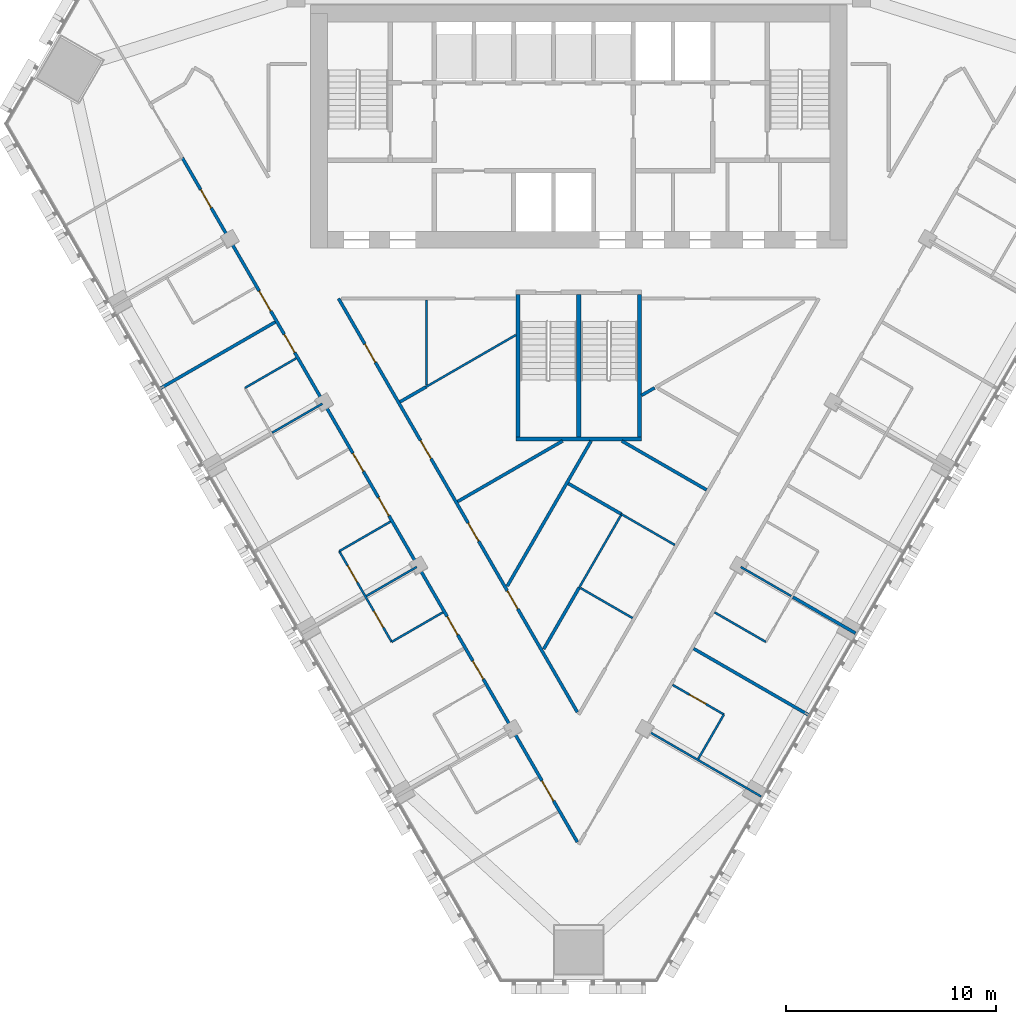
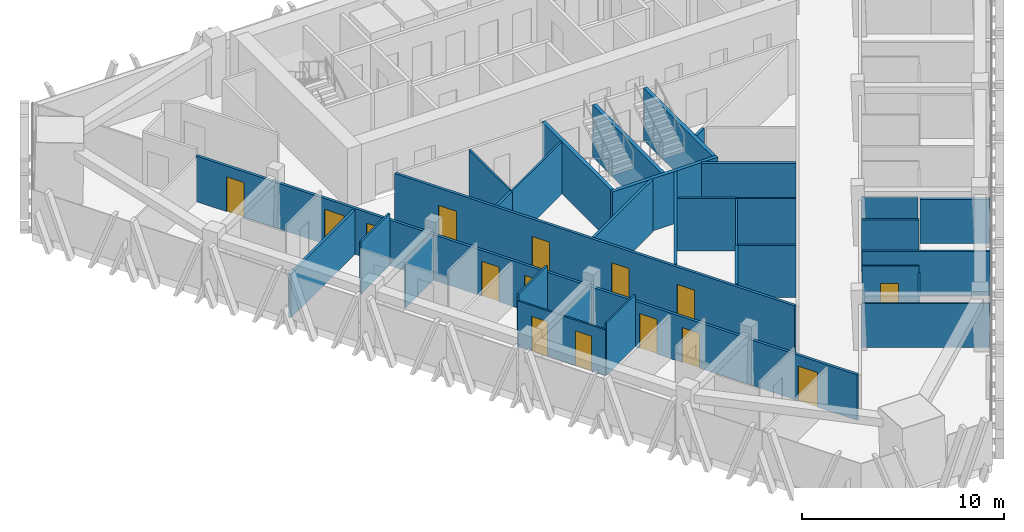
# One storey, part 9 of 16: 32 walls, 15 doors, 15 openings.
"""IFC4 building model written with IfcOpenShell, lengths in metres."""

from ifc_helpers import new_model, si_unit, direction, frame, frame_2d, origin, place, context, subcontext, project, spatial, rectangle, extrude, material, layer, layer_set, type_object, element, fill, save


model = new_model("IFC4")

# Units and contexts
model_context = context("Model", 3, precision=1e-05, world=origin(), true_north=direction((0.0, 1.0)))
body_context = subcontext(model_context, "Body", "Model", "MODEL_VIEW")
ifc_project = project(units=[si_unit("LENGTHUNIT", "METRE"), si_unit("AREAUNIT", "SQUARE_METRE"), si_unit("VOLUMEUNIT", "CUBIC_METRE"), si_unit("PLANEANGLEUNIT", "RADIAN"), si_unit("MASSUNIT", "GRAM", prefix="KILO")], contexts=[model_context])

# Site, building, storey
site_placement = place(None, origin())
site = spatial("IfcSite", under=ifc_project, at=site_placement, CompositionType="ELEMENT")
building_placement = place(site_placement, origin())
building = spatial("IfcBuilding", under=site, at=building_placement, Name="Altiplano Prism Tower", CompositionType="ELEMENT")
storey_placement = place(building_placement, frame((0.0, 0.0, 145.800048828125)))
storey = spatial("IfcBuildingStorey", under=building, at=storey_placement, Name="L37", CompositionType="ELEMENT", Elevation=145.800048828125)

# Wall
ifc_material_1 = material(Name="Plasterboard on steel stud", Category="steel")
ifc_layer_1 = layer(ifc_material_1, 0.10009765625)
ifc_layer_set_1 = layer_set([ifc_layer_1], Name="Plasterboard on steel stud")
wall_type_1 = type_object("IfcWallType", Name="Partition 100 unit", PredefinedType="PARTITIONING", material=ifc_layer_set_1)
wall_1_placement = place(storey_placement, frame((69.07080078125, 85.93408203125, 0.0), z_axis=(0.0, 0.0, 1.0), x_axis=(0.866011447264, 0.500024172624, 0.0)))
element("IfcWall", 1, at=wall_1_placement, inside=storey, type_object=wall_type_1, Name="Partition P02 L37 037", PredefinedType="PARTITIONING", context=body_context, shape_type="SweptSolid", body=[
    extrude(rectangle(XDim=2.824951171875, YDim=0.10009765625, at=frame_2d((1.41259765625, 0.0))), origin(), (0.0, 0.0, 1.0), 3.14990234375),
])

# Wall, openings, doors
wall_2_placement = place(storey_placement, frame((76.07080078125, 73.809814453125, 0.0), z_axis=(0.0, 0.0, 1.0), x_axis=(-0.500004234368, 0.866022959057, 0.0)))
wall_2 = element("IfcWall", 2, at=wall_2_placement, inside=storey, type_object=wall_type_1, Name="Partition P02 L37 042", PredefinedType="PARTITIONING", context=body_context, shape_type="SweptSolid", body=[
    extrude(rectangle(XDim=5.0, YDim=0.10009765625, at=frame_2d((2.5, 0.0))), origin(), (0.0, 0.0, 1.0), 2.75),
])
opening_1_placement = place(wall_2_placement, frame((3.300048828125, 0.0, 0.0)))
opening_1 = element("IfcOpeningElement", 3, at=opening_1_placement, cuts=wall_2, Name="Opening D1345", PredefinedType="OPENING", context=body_context, shape_type="SweptSolid", body=[
    extrude(rectangle(XDim=0.89990234375, YDim=2.10009765625, at=frame_2d((0.449951171875, 1.050048828125))), frame((0.0, 0.060546875, 0.0), z_axis=(0.0, -1.0, 0.0), x_axis=(1.0, 0.0, 0.0)), (0.0, 0.0, 1.0), 0.12109375),
])
opening_2_placement = place(wall_2_placement, frame((0.800048828125, 0.0, 0.0)))
opening_2 = element("IfcOpeningElement", 4, at=opening_2_placement, cuts=wall_2, Name="Opening D1347", PredefinedType="OPENING", context=body_context, shape_type="SweptSolid", body=[
    extrude(rectangle(XDim=0.89990234375, YDim=2.10009765625, at=frame_2d((0.449951171875, 1.050048828125))), frame((0.0, 0.060546875, 0.0), z_axis=(0.0, -1.0, 0.0), x_axis=(1.0, 0.0, 0.0)), (0.0, 0.0, 1.0), 0.12109375),
])
ifc_material_2 = material(Name="Timber", Category="wood")
door_type_1 = type_object("IfcDoorType", Name="Ensuite door 900 x 2100", OperationType="NOTDEFINED", PredefinedType="NOTDEFINED", material=ifc_material_2)
door_1_placement = place(opening_1_placement, origin())
door_1 = element("IfcDoor", 5, at=door_1_placement, inside=storey, type_object=door_type_1, Name="Door D1345", OperationType="SINGLE_SWING_LEFT", OverallHeight=2.10009765625, OverallWidth=0.89990234375, PredefinedType="NOTDEFINED", context=body_context, shape_type="SweptSolid", body=[
    extrude(rectangle(XDim=0.89990234375, YDim=2.10009765625, at=frame_2d((0.449951171875, 1.050048828125))), frame((0.0, 0.02490234375, 0.0), z_axis=(0.0, -1.0, 0.0), x_axis=(1.0, 0.0, 0.0)), (0.0, 0.0, 1.0), 0.050048828125),
])
fill(opening_1, door_1)
door_2_placement = place(opening_2_placement, origin())
door_2 = element("IfcDoor", 6, at=door_2_placement, inside=storey, type_object=door_type_1, Name="Door D1347", OperationType="SINGLE_SWING_LEFT", OverallHeight=2.10009765625, OverallWidth=0.89990234375, PredefinedType="NOTDEFINED", context=body_context, shape_type="SweptSolid", body=[
    extrude(rectangle(XDim=0.89990234375, YDim=2.10009765625, at=frame_2d((0.449951171875, 1.050048828125))), frame((0.0, 0.02490234375, 0.0), z_axis=(0.0, -1.0, 0.0), x_axis=(1.0, 0.0, 0.0)), (0.0, 0.0, 1.0), 0.050048828125),
])
fill(opening_2, door_2)

# Walls
for number, where, z_axis, x_axis, name in (
    (7, (73.57080078125, 78.139892578125, 0.0), (0.0, 0.0, 1.0), (0.866011447264, 0.500024172624, 0.0), "Partition P02 L37 043"),
    (8, (78.517333984375, 75.222412109375, 0.0), (0.0, 0.0, 1.0), (-0.866011447264, -0.500024172624, 0.0), "Partition P02 L37 046"),
):
    element("IfcWall", number, at=place(storey_placement, frame(where, z_axis=z_axis, x_axis=x_axis)), inside=storey, type_object=wall_type_1, Name=name, PredefinedType="PARTITIONING", context=body_context, shape_type="SweptSolid", body=[
        extrude(rectangle(XDim=2.824951171875, YDim=0.10009765625, at=frame_2d((1.41259765625, 0.0))), origin(), (0.0, 0.0, 1.0), 3.14990234375),
    ])

# Wall, opening, door
wall_3_placement = place(storey_placement, frame((89.482666015625, 71.75830078125, 0.0), z_axis=(0.0, 0.0, 1.0), x_axis=(0.866011447264, -0.500024172624, 0.0)))
wall_3 = element("IfcWall", 9, at=wall_3_placement, inside=storey, type_object=wall_type_1, Name="Partition P02 L37 056", PredefinedType="PARTITIONING", context=body_context, shape_type="SweptSolid", body=[
    extrude(rectangle(XDim=2.824951171875, YDim=0.10009765625, at=frame_2d((1.41259765625, 0.0))), origin(), (0.0, 0.0, 1.0), 3.14990234375),
])
opening_3_placement = place(wall_3_placement, frame((0.925048828125, 0.0, 0.0)))
opening_3 = element("IfcOpeningElement", 10, at=opening_3_placement, cuts=wall_3, Name="Opening D1354", PredefinedType="OPENING", context=body_context, shape_type="SweptSolid", body=[
    extrude(rectangle(XDim=0.89990234375, YDim=2.10009765625, at=frame_2d((0.449951171875, 1.050048828125))), frame((0.0, 0.060546875, 0.0), z_axis=(0.0, -1.0, 0.0), x_axis=(1.0, 0.0, 0.0)), (0.0, 0.0, 1.0), 0.12109375),
])
door_3_placement = place(opening_3_placement, origin())
door_3 = element("IfcDoor", 11, at=door_3_placement, inside=storey, type_object=door_type_1, Name="Door D1354", OperationType="SINGLE_SWING_LEFT", OverallHeight=2.10009765625, OverallWidth=0.89990234375, PredefinedType="NOTDEFINED", context=body_context, shape_type="SweptSolid", body=[
    extrude(rectangle(XDim=0.89990234375, YDim=2.10009765625, at=frame_2d((0.449951171875, 1.050048828125))), frame((0.0, 0.02490234375, 0.0), z_axis=(0.0, -1.0, 0.0), x_axis=(1.0, 0.0, 0.0)), (0.0, 0.0, 1.0), 0.050048828125),
])
fill(opening_3, door_3)

# Walls
wall_4_placement = place(storey_placement, frame((91.92919921875, 70.345703125, 0.0), z_axis=(0.0, 0.0, 1.0), x_axis=(-0.500018594424, -0.866014668023, 0.0)))
element("IfcWall", 12, at=wall_4_placement, inside=storey, type_object=wall_type_1, Name="Partition P02 L37 057", PredefinedType="PARTITIONING", context=body_context, shape_type="SweptSolid", body=[
    extrude(rectangle(XDim=2.4501953125, YDim=0.10009765625, at=frame_2d((1.22509765625, 0.0))), origin(), (0.0, 0.0, 1.0), 2.75),
])
wall_5_placement = place(storey_placement, frame((93.92919921875, 73.809814453125, 0.0), z_axis=(0.0, 0.0, 1.0), x_axis=(-0.866011447264, 0.500024172624, 0.0)))
element("IfcWall", 13, at=wall_5_placement, inside=storey, type_object=wall_type_1, Name="Partition P02 L37 059", PredefinedType="PARTITIONING", context=body_context, shape_type="SweptSolid", body=[
    extrude(rectangle(XDim=2.824951171875, YDim=0.10009765625, at=frame_2d((1.41259765625, 0.0))), origin(), (0.0, 0.0, 1.0), 3.14990234375),
])
ifc_layer_2 = layer(ifc_material_1, 0.10009765625)
ifc_layer_set_2 = layer_set([ifc_layer_2], Name="Plasterboard on steel stud")
wall_type_2 = type_object("IfcWallType", Name="Partition 100 wet", PredefinedType="PARTITIONING", material=ifc_layer_set_2)
wall_6_placement = place(storey_placement, frame((85.09423828125, 76.376708984375, 0.0), z_axis=(0.0, 0.0, 1.0), x_axis=(0.866012137121, -0.500022977831, 0.0)))
element("IfcWall", 14, at=wall_6_placement, inside=storey, type_object=wall_type_2, Name="Partition P03 L37 019", PredefinedType="PARTITIONING", context=body_context, shape_type="SweptSolid", body=[
    extrude(rectangle(XDim=2.859619140625, YDim=0.10009765625, at=frame_2d((1.4296875, 0.0))), origin(), (0.0, 0.0, 1.0), 3.14990234375),
])
wall_7_placement = place(storey_placement, frame((89.5859375, 78.43701171875, 0.0), z_axis=(0.0, 0.0, 1.0), x_axis=(-0.866053505849, 0.499951322638, 0.0)))
element("IfcWall", 15, at=wall_7_placement, inside=storey, type_object=wall_type_2, Name="Partition P03 L37 020", PredefinedType="PARTITIONING", context=body_context, shape_type="SweptSolid", body=[
    extrude(rectangle(XDim=2.954833984375, YDim=0.10009765625, at=frame_2d((1.4775390625, 0.0))), origin(), (0.0, 0.0, 1.0), 3.14990234375),
])
wall_8_placement = place(storey_placement, frame((87.044189453125, 79.904296875, 0.0), z_axis=(0.0, 0.0, 1.0), x_axis=(-0.499990325971, -0.866030989016, 0.0)))
element("IfcWall", 16, at=wall_8_placement, inside=storey, type_object=wall_type_2, Name="Partition P03 L37 021", PredefinedType="PARTITIONING", context=body_context, shape_type="SweptSolid", body=[
    extrude(rectangle(XDim=4.0498046875, YDim=0.10009765625, at=frame_2d((2.02490234375, 0.0))), origin(), (0.0, 0.0, 1.0), 3.14990234375),
])
wall_9_placement = place(storey_placement, frame((77.727294921875, 90.125, 0.0), z_axis=(0.0, 0.0, 1.0), x_axis=(0.0, -1.0, 0.0)))
element("IfcWall", 17, at=wall_9_placement, inside=storey, type_object=wall_type_2, Name="Partition P03 L37 022", PredefinedType="PARTITIONING", context=body_context, shape_type="SweptSolid", body=[
    extrude(rectangle(XDim=4.045654296875, YDim=0.10009765625, at=frame_2d((2.02294921875, 0.0))), origin(), (0.0, 0.0, 1.0), 3.14990234375),
])
wall_10_placement = place(storey_placement, frame((77.7099609375, 85.982666015625, 0.0), z_axis=(0.0, 0.0, 1.0), x_axis=(0.866029649098, 0.49999264683, 0.0)))
element("IfcWall", 18, at=wall_10_placement, inside=storey, type_object=wall_type_2, Name="Partition P03 L37 023", PredefinedType="PARTITIONING", context=body_context, shape_type="SweptSolid", body=[
    extrude(rectangle(XDim=4.95361328125, YDim=0.10009765625, at=frame_2d((2.476806640625, 0.0))), origin(), (0.0, 0.0, 1.0), 3.14990234375),
])
for number, where, z_axis, x_axis, name in (
    (19, (70.364013671875, 83.794189453125, 0.0), (0.0, 0.0, 1.0), (0.866042014628, 0.499971228071, 0.0), "Partition P03 L37 039"),
    (20, (74.864013671875, 76.0, 0.0), (0.0, 0.0, 1.0), (0.866042014628, 0.499971228071, 0.0), "Partition P03 L37 045"),
):
    element("IfcWall", number, at=place(storey_placement, frame(where, z_axis=z_axis, x_axis=x_axis)), inside=storey, type_object=wall_type_2, Name=name, PredefinedType="PARTITIONING", context=body_context, shape_type="SweptSolid", body=[
        extrude(rectangle(XDim=2.775146484375, YDim=0.10009765625, at=frame_2d((1.3876953125, 0.0))), origin(), (0.0, 0.0, 1.0), 2.75),
    ])
wall_11_placement = place(storey_placement, frame((93.710205078125, 66.4306640625, 0.0), z_axis=(0.0, 0.0, 1.0), x_axis=(-0.866015887322, 0.500016482634, 0.0)))
element("IfcWall", 21, at=wall_11_placement, inside=storey, type_object=wall_type_2, Name="Partition P03 L37 055", PredefinedType="PARTITIONING", context=body_context, shape_type="SweptSolid", body=[
    extrude(rectangle(XDim=6.324951171875, YDim=0.10009765625, at=frame_2d((3.16259765625, 0.0))), origin(), (0.0, 0.0, 1.0), 2.64990234375),
])
wall_12_placement = place(storey_placement, frame((95.135986328125, 76.0, 0.0), z_axis=(0.0, 0.0, 1.0), x_axis=(-0.866042014628, 0.499971228071, 0.0)))
element("IfcWall", 22, at=wall_12_placement, inside=storey, type_object=wall_type_2, Name="Partition P03 L37 061", PredefinedType="PARTITIONING", context=body_context, shape_type="SweptSolid", body=[
    extrude(rectangle(XDim=2.775146484375, YDim=0.10009765625, at=frame_2d((1.3876953125, 0.0))), origin(), (0.0, 0.0, 1.0), 2.75),
])

# Wall, openings, doors
ifc_layer_3 = layer(ifc_material_1, 0.14990234375)
ifc_layer_set_3 = layer_set([ifc_layer_3], Name="Plasterboard on steel stud")
wall_type_3 = type_object("IfcWallType", Name="Partition 150 corridor", PredefinedType="PARTITIONING", material=ifc_layer_set_3)
wall_13_placement = place(storey_placement, frame((84.93505859375, 70.45654296875, 0.0), z_axis=(0.0, 0.0, 1.0), x_axis=(-0.50000209693, 0.866024193118, 0.0)))
wall_13 = element("IfcWall", 23, at=wall_13_placement, inside=storey, type_object=wall_type_3, Name="Partition P06 L37 003", PredefinedType="PARTITIONING", context=body_context, shape_type="SweptSolid", body=[
    extrude(rectangle(XDim=22.7978515625, YDim=0.14990234375, at=frame_2d((11.39892578125, 0.0))), origin(), (0.0, 0.0, 1.0), 3.14990234375),
])
opening_4_placement = place(wall_13_placement, frame((19.282958984375, 0.0, 0.0)))
opening_4 = element("IfcOpeningElement", 24, at=opening_4_placement, cuts=wall_13, Name="Opening D1332", PredefinedType="OPENING", context=body_context, shape_type="SweptSolid", body=[
    extrude(rectangle(XDim=1.0, YDim=2.10009765625, at=frame_2d((0.5, 1.050048828125))), frame((0.0, 0.08544921875, 0.0), z_axis=(0.0, -1.0, 0.0), x_axis=(1.0, 0.0, 0.0)), (0.0, 0.0, 1.0), 0.1708984375),
])
opening_5_placement = place(wall_13_placement, frame((13.972900390625, 0.0, 0.0)))
opening_5 = element("IfcOpeningElement", 25, at=opening_5_placement, cuts=wall_13, Name="Opening D1369", PredefinedType="OPENING", context=body_context, shape_type="SweptSolid", body=[
    extrude(rectangle(XDim=1.0, YDim=2.10009765625, at=frame_2d((0.5, 1.050048828125))), frame((0.0, 0.08544921875, 0.0), z_axis=(0.0, -1.0, 0.0), x_axis=(1.0, 0.0, 0.0)), (0.0, 0.0, 1.0), 0.1708984375),
])
opening_6_placement = place(wall_13_placement, frame((5.69091796875, 0.0, 0.0)))
opening_6 = element("IfcOpeningElement", 26, at=opening_6_placement, cuts=wall_13, Name="Opening D1370", PredefinedType="OPENING", context=body_context, shape_type="SweptSolid", body=[
    extrude(rectangle(XDim=1.0, YDim=2.10009765625, at=frame_2d((0.5, 1.050048828125))), frame((0.0, 0.08544921875, 0.0), z_axis=(0.0, -1.0, 0.0), x_axis=(1.0, 0.0, 0.0)), (0.0, 0.0, 1.0), 0.1708984375),
])
opening_7_placement = place(wall_13_placement, frame((9.424072265625, 0.0, 0.0)))
opening_7 = element("IfcOpeningElement", 27, at=opening_7_placement, cuts=wall_13, Name="Opening D1371", PredefinedType="OPENING", context=body_context, shape_type="SweptSolid", body=[
    extrude(rectangle(XDim=1.0, YDim=2.10009765625, at=frame_2d((0.5, 1.050048828125))), frame((0.0, 0.08544921875, 0.0), z_axis=(0.0, -1.0, 0.0), x_axis=(1.0, 0.0, 0.0)), (0.0, 0.0, 1.0), 0.1708984375),
])
door_type_2 = type_object("IfcDoorType", Name="Room door 1000 x 2100", OperationType="NOTDEFINED", PredefinedType="NOTDEFINED", material=ifc_material_2)
door_4_placement = place(opening_5_placement, origin())
door_4 = element("IfcDoor", 28, at=door_4_placement, inside=storey, type_object=door_type_2, Name="Door D1369", OperationType="SINGLE_SWING_LEFT", OverallHeight=2.10009765625, OverallWidth=1.0, PredefinedType="NOTDEFINED", context=body_context, shape_type="SweptSolid", body=[
    extrude(rectangle(XDim=1.0, YDim=2.10009765625, at=frame_2d((0.5, 1.050048828125))), frame((0.0, 0.02490234375, 0.0), z_axis=(0.0, -1.0, 0.0), x_axis=(1.0, 0.0, 0.0)), (0.0, 0.0, 1.0), 0.050048828125),
])
fill(opening_5, door_4)
door_type_3 = type_object("IfcDoorType", Name="Store door 1000 x 2100", OperationType="NOTDEFINED", PredefinedType="NOTDEFINED", material=ifc_material_2)
door_5_placement = place(opening_4_placement, origin())
door_5 = element("IfcDoor", 29, at=door_5_placement, inside=storey, type_object=door_type_3, Name="Door D1332", OperationType="SINGLE_SWING_LEFT", OverallHeight=2.10009765625, OverallWidth=1.0, PredefinedType="NOTDEFINED", context=body_context, shape_type="SweptSolid", body=[
    extrude(rectangle(XDim=1.0, YDim=2.10009765625, at=frame_2d((0.5, 1.050048828125))), frame((0.0, 0.02490234375, 0.0), z_axis=(0.0, -1.0, 0.0), x_axis=(1.0, 0.0, 0.0)), (0.0, 0.0, 1.0), 0.050048828125),
])
fill(opening_4, door_5)
door_6_placement = place(opening_6_placement, origin())
door_6 = element("IfcDoor", 30, at=door_6_placement, inside=storey, type_object=door_type_3, Name="Door D1370", OperationType="SINGLE_SWING_LEFT", OverallHeight=2.10009765625, OverallWidth=1.0, PredefinedType="NOTDEFINED", context=body_context, shape_type="SweptSolid", body=[
    extrude(rectangle(XDim=1.0, YDim=2.10009765625, at=frame_2d((0.5, 1.050048828125))), frame((0.0, 0.02490234375, 0.0), z_axis=(0.0, -1.0, 0.0), x_axis=(1.0, 0.0, 0.0)), (0.0, 0.0, 1.0), 0.050048828125),
])
fill(opening_6, door_6)
door_7_placement = place(opening_7_placement, origin())
door_7 = element("IfcDoor", 31, at=door_7_placement, inside=storey, type_object=door_type_3, Name="Door D1371", OperationType="SINGLE_SWING_RIGHT", OverallHeight=2.10009765625, OverallWidth=1.0, PredefinedType="NOTDEFINED", context=body_context, shape_type="SweptSolid", body=[
    extrude(rectangle(XDim=1.0, YDim=2.10009765625, at=frame_2d((0.5, 1.050048828125))), frame((0.0, 0.02490234375, 0.0), z_axis=(0.0, -1.0, 0.0), x_axis=(1.0, 0.0, 0.0)), (0.0, 0.0, 1.0), 0.050048828125),
])
fill(opening_7, door_7)

wall_14_placement = place(storey_placement, frame((66.082275390625, 96.910400390625, 0.0), z_axis=(0.0, 0.0, 1.0), x_axis=(0.500001949747, -0.866024278094, 0.0)))
wall_14 = element("IfcWall", 32, at=wall_14_placement, inside=storey, type_object=wall_type_3, Name="Partition P06 L37 005", PredefinedType="PARTITIONING", context=body_context, shape_type="SweptSolid", body=[
    extrude(rectangle(XDim=37.705322265625, YDim=0.14990234375, at=frame_2d((18.8525390625, 0.0))), origin(), (0.0, 0.0, 1.0), 2.75),
])
opening_8_placement = place(wall_14_placement, frame((1.75, 0.0, 0.0)))
opening_8 = element("IfcOpeningElement", 33, at=opening_8_placement, cuts=wall_14, Name="Opening D1337", PredefinedType="OPENING", context=body_context, shape_type="SweptSolid", body=[
    extrude(rectangle(XDim=1.0, YDim=2.10009765625, at=frame_2d((0.5, 1.050048828125))), frame((0.0, 0.08544921875, 0.0), z_axis=(0.0, -1.0, 0.0), x_axis=(1.0, 0.0, 0.0)), (0.0, 0.0, 1.0), 0.1708984375),
])
opening_9_placement = place(wall_14_placement, frame((7.3291015625, 0.0, 0.0)))
opening_9 = element("IfcOpeningElement", 34, at=opening_9_placement, cuts=wall_14, Name="Opening D1338", PredefinedType="OPENING", context=body_context, shape_type="SweptSolid", body=[
    extrude(rectangle(XDim=1.10009765625, YDim=2.10009765625, at=frame_2d((0.550048828125, 1.050048828125))), frame((0.0, 0.08544921875, 0.0), z_axis=(0.0, -1.0, 0.0), x_axis=(1.0, 0.0, 0.0)), (0.0, 0.0, 1.0), 0.1708984375),
])
opening_10_placement = place(wall_14_placement, frame((9.719970703125, 0.0, 0.0)))
opening_10 = element("IfcOpeningElement", 35, at=opening_10_placement, cuts=wall_14, Name="Opening D1340", PredefinedType="OPENING", context=body_context, shape_type="SweptSolid", body=[
    extrude(rectangle(XDim=1.0, YDim=2.10009765625, at=frame_2d((0.5, 1.050048828125))), frame((0.0, 0.08544921875, 0.0), z_axis=(0.0, -1.0, 0.0), x_axis=(1.0, 0.0, 0.0)), (0.0, 0.0, 1.0), 0.1708984375),
])
opening_11_placement = place(wall_14_placement, frame((16.280029296875, 0.0, 0.0)))
opening_11 = element("IfcOpeningElement", 36, at=opening_11_placement, cuts=wall_14, Name="Opening D1342", PredefinedType="OPENING", context=body_context, shape_type="SweptSolid", body=[
    extrude(rectangle(XDim=1.0, YDim=2.10009765625, at=frame_2d((0.5, 1.050048828125))), frame((0.0, 0.08544921875, 0.0), z_axis=(0.0, -1.0, 0.0), x_axis=(1.0, 0.0, 0.0)), (0.0, 0.0, 1.0), 0.1708984375),
])
opening_12_placement = place(wall_14_placement, frame((18.719970703125, 0.0, 0.0)))
opening_12 = element("IfcOpeningElement", 37, at=opening_12_placement, cuts=wall_14, Name="Opening D1344", PredefinedType="OPENING", context=body_context, shape_type="SweptSolid", body=[
    extrude(rectangle(XDim=1.0, YDim=2.10009765625, at=frame_2d((0.5, 1.050048828125))), frame((0.0, 0.08544921875, 0.0), z_axis=(0.0, -1.0, 0.0), x_axis=(1.0, 0.0, 0.0)), (0.0, 0.0, 1.0), 0.1708984375),
])
opening_13_placement = place(wall_14_placement, frame((25.280029296875, 0.0, 0.0)))
opening_13 = element("IfcOpeningElement", 38, at=opening_13_placement, cuts=wall_14, Name="Opening D1346", PredefinedType="OPENING", context=body_context, shape_type="SweptSolid", body=[
    extrude(rectangle(XDim=1.0, YDim=2.10009765625, at=frame_2d((0.5, 1.050048828125))), frame((0.0, 0.08544921875, 0.0), z_axis=(0.0, -1.0, 0.0), x_axis=(1.0, 0.0, 0.0)), (0.0, 0.0, 1.0), 0.1708984375),
])
opening_14_placement = place(wall_14_placement, frame((27.719970703125, 0.0, 0.0)))
opening_14 = element("IfcOpeningElement", 39, at=opening_14_placement, cuts=wall_14, Name="Opening D1348", PredefinedType="OPENING", context=body_context, shape_type="SweptSolid", body=[
    extrude(rectangle(XDim=1.0, YDim=2.10009765625, at=frame_2d((0.5, 1.050048828125))), frame((0.0, 0.08544921875, 0.0), z_axis=(0.0, -1.0, 0.0), x_axis=(1.0, 0.0, 0.0)), (0.0, 0.0, 1.0), 0.1708984375),
])
opening_15_placement = place(wall_14_placement, frame((34.3291015625, 0.0, 0.0)))
opening_15 = element("IfcOpeningElement", 40, at=opening_15_placement, cuts=wall_14, Name="Opening D1350", PredefinedType="OPENING", context=body_context, shape_type="SweptSolid", body=[
    extrude(rectangle(XDim=1.10009765625, YDim=2.10009765625, at=frame_2d((0.550048828125, 1.050048828125))), frame((0.0, 0.08544921875, 0.0), z_axis=(0.0, -1.0, 0.0), x_axis=(1.0, 0.0, 0.0)), (0.0, 0.0, 1.0), 0.1708984375),
])
door_type_4 = type_object("IfcDoorType", Name="Accessible bedroom door 1100 x 2100", OperationType="NOTDEFINED", PredefinedType="NOTDEFINED", material=ifc_material_2)
door_8_placement = place(opening_9_placement, origin())
door_8 = element("IfcDoor", 41, at=door_8_placement, inside=storey, type_object=door_type_4, Name="Door D1338", OperationType="SINGLE_SWING_LEFT", OverallHeight=2.10009765625, OverallWidth=1.10009765625, PredefinedType="NOTDEFINED", context=body_context, shape_type="SweptSolid", body=[
    extrude(rectangle(XDim=1.10009765625, YDim=2.10009765625, at=frame_2d((0.550048828125, 1.050048828125))), frame((0.0, 0.02490234375, 0.0), z_axis=(0.0, -1.0, 0.0), x_axis=(1.0, 0.0, 0.0)), (0.0, 0.0, 1.0), 0.050048828125),
])
fill(opening_9, door_8)
door_9_placement = place(opening_15_placement, origin())
door_9 = element("IfcDoor", 42, at=door_9_placement, inside=storey, type_object=door_type_4, Name="Door D1350", OperationType="SINGLE_SWING_LEFT", OverallHeight=2.10009765625, OverallWidth=1.10009765625, PredefinedType="NOTDEFINED", context=body_context, shape_type="SweptSolid", body=[
    extrude(rectangle(XDim=1.10009765625, YDim=2.10009765625, at=frame_2d((0.550048828125, 1.050048828125))), frame((0.0, 0.02490234375, 0.0), z_axis=(0.0, -1.0, 0.0), x_axis=(1.0, 0.0, 0.0)), (0.0, 0.0, 1.0), 0.050048828125),
])
fill(opening_15, door_9)
door_type_5 = type_object("IfcDoorType", Name="Bedroom entrance door 1000 x 2100", OperationType="NOTDEFINED", PredefinedType="NOTDEFINED", material=ifc_material_2)
door_10_placement = place(opening_10_placement, origin())
door_10 = element("IfcDoor", 43, at=door_10_placement, inside=storey, type_object=door_type_5, Name="Door D1340", OperationType="SINGLE_SWING_RIGHT", OverallHeight=2.10009765625, OverallWidth=1.0, PredefinedType="NOTDEFINED", context=body_context, shape_type="SweptSolid", body=[
    extrude(rectangle(XDim=1.0, YDim=2.10009765625, at=frame_2d((0.5, 1.050048828125))), frame((0.0, 0.02490234375, 0.0), z_axis=(0.0, -1.0, 0.0), x_axis=(1.0, 0.0, 0.0)), (0.0, 0.0, 1.0), 0.050048828125),
])
fill(opening_10, door_10)
door_11_placement = place(opening_11_placement, origin())
door_11 = element("IfcDoor", 44, at=door_11_placement, inside=storey, type_object=door_type_5, Name="Door D1342", OperationType="SINGLE_SWING_LEFT", OverallHeight=2.10009765625, OverallWidth=1.0, PredefinedType="NOTDEFINED", context=body_context, shape_type="SweptSolid", body=[
    extrude(rectangle(XDim=1.0, YDim=2.10009765625, at=frame_2d((0.5, 1.050048828125))), frame((0.0, 0.02490234375, 0.0), z_axis=(0.0, -1.0, 0.0), x_axis=(1.0, 0.0, 0.0)), (0.0, 0.0, 1.0), 0.050048828125),
])
fill(opening_11, door_11)
door_12_placement = place(opening_12_placement, origin())
door_12 = element("IfcDoor", 45, at=door_12_placement, inside=storey, type_object=door_type_5, Name="Door D1344", OperationType="SINGLE_SWING_LEFT", OverallHeight=2.10009765625, OverallWidth=1.0, PredefinedType="NOTDEFINED", context=body_context, shape_type="SweptSolid", body=[
    extrude(rectangle(XDim=1.0, YDim=2.10009765625, at=frame_2d((0.5, 1.050048828125))), frame((0.0, 0.02490234375, 0.0), z_axis=(0.0, -1.0, 0.0), x_axis=(1.0, 0.0, 0.0)), (0.0, 0.0, 1.0), 0.050048828125),
])
fill(opening_12, door_12)
door_13_placement = place(opening_13_placement, origin())
door_13 = element("IfcDoor", 46, at=door_13_placement, inside=storey, type_object=door_type_5, Name="Door D1346", OperationType="SINGLE_SWING_LEFT", OverallHeight=2.10009765625, OverallWidth=1.0, PredefinedType="NOTDEFINED", context=body_context, shape_type="SweptSolid", body=[
    extrude(rectangle(XDim=1.0, YDim=2.10009765625, at=frame_2d((0.5, 1.050048828125))), frame((0.0, 0.02490234375, 0.0), z_axis=(0.0, -1.0, 0.0), x_axis=(1.0, 0.0, 0.0)), (0.0, 0.0, 1.0), 0.050048828125),
])
fill(opening_13, door_13)
door_14_placement = place(opening_14_placement, origin())
door_14 = element("IfcDoor", 47, at=door_14_placement, inside=storey, type_object=door_type_5, Name="Door D1348", OperationType="SINGLE_SWING_LEFT", OverallHeight=2.10009765625, OverallWidth=1.0, PredefinedType="NOTDEFINED", context=body_context, shape_type="SweptSolid", body=[
    extrude(rectangle(XDim=1.0, YDim=2.10009765625, at=frame_2d((0.5, 1.050048828125))), frame((0.0, 0.02490234375, 0.0), z_axis=(0.0, -1.0, 0.0), x_axis=(1.0, 0.0, 0.0)), (0.0, 0.0, 1.0), 0.050048828125),
])
fill(opening_14, door_14)
door_15_placement = place(opening_8_placement, origin())
door_15 = element("IfcDoor", 48, at=door_15_placement, inside=storey, type_object=door_type_2, Name="Door D1337", OperationType="SINGLE_SWING_LEFT", OverallHeight=2.10009765625, OverallWidth=1.0, PredefinedType="NOTDEFINED", context=body_context, shape_type="SweptSolid", body=[
    extrude(rectangle(XDim=1.0, YDim=2.10009765625, at=frame_2d((0.5, 1.050048828125))), frame((0.0, 0.02490234375, 0.0), z_axis=(0.0, -1.0, 0.0), x_axis=(1.0, 0.0, 0.0)), (0.0, 0.0, 1.0), 0.050048828125),
])
fill(opening_8, door_15)

# Walls
ifc_layer_4 = layer(ifc_material_1, 0.14990234375)
ifc_layer_set_4 = layer_set([ifc_layer_4], Name="Plasterboard on steel stud")
wall_type_4 = type_object("IfcWallType", Name="Partition 150 party", PredefinedType="PARTITIONING", material=ifc_layer_set_4)
wall_15_placement = place(storey_placement, frame((76.470703125, 85.267333984375, 0.0), z_axis=(0.0, 0.0, 1.0), x_axis=(0.866071942605, 0.499919383734, 0.0)))
element("IfcWall", 49, at=wall_15_placement, inside=storey, type_object=wall_type_4, Name="Partition P01 L37 024", PredefinedType="PARTITIONING", context=body_context, shape_type="SweptSolid", body=[
    extrude(rectangle(XDim=1.430908203125, YDim=0.14990234375, at=frame_2d((0.71533203125, 0.0))), origin(), (0.0, 0.0, 1.0), 3.14990234375),
])
wall_16_placement = place(storey_placement, frame((85.019287109375, 76.39697265625, 0.0), z_axis=(0.0, 0.0, 1.0), x_axis=(-0.500026370116, -0.866010178455, 0.0)))
element("IfcWall", 50, at=wall_16_placement, inside=storey, type_object=wall_type_4, Name="Partition P01 L37 025", PredefinedType="PARTITIONING", context=body_context, shape_type="SweptSolid", body=[
    extrude(rectangle(XDim=3.384033203125, YDim=0.14990234375, at=frame_2d((1.69189453125, 0.0))), origin(), (0.0, 0.0, 1.0), 3.14990234375),
])
wall_17_placement = place(storey_placement, frame((87.0595703125, 83.39990234375, 0.0), z_axis=(0.0, 0.0, 1.0), x_axis=(0.866040176992, -0.499974411181, 0.0)))
element("IfcWall", 51, at=wall_17_placement, inside=storey, type_object=wall_type_4, Name="Partition P01 L37 026", PredefinedType="PARTITIONING", context=body_context, shape_type="SweptSolid", body=[
    extrude(rectangle(XDim=4.669189453125, YDim=0.14990234375, at=frame_2d((2.33447265625, 0.0))), origin(), (0.0, 0.0, 1.0), 3.14990234375),
])
wall_18_placement = place(storey_placement, frame((88.621826171875, 85.9375, 0.0), z_axis=(0.0, 0.0, 1.0), x_axis=(-0.866100656052, -0.499869636591, 0.0)))
element("IfcWall", 52, at=wall_18_placement, inside=storey, type_object=wall_type_4, Name="Partition P01 L37 027", PredefinedType="PARTITIONING", context=body_context, shape_type="SweptSolid", body=[
    extrude(rectangle(XDim=0.718017578125, YDim=0.14990234375, at=frame_2d((0.35888671875, 0.0))), origin(), (0.0, 0.0, 1.0), 3.14990234375),
])
wall_19_placement = place(storey_placement, frame((84.50341796875, 81.37109375, 0.0), z_axis=(0.0, 0.0, 1.0), x_axis=(0.866042852854, -0.499969776107, 0.0)))
element("IfcWall", 53, at=wall_19_placement, inside=storey, type_object=wall_type_4, Name="Partition P01 L37 029", PredefinedType="PARTITIONING", context=body_context, shape_type="SweptSolid", body=[
    extrude(rectangle(XDim=2.933837890625, YDim=0.14990234375, at=frame_2d((1.466796875, 0.0))), origin(), (0.0, 0.0, 1.0), 3.14990234375),
])
for number, where, z_axis, x_axis, name in (
    (54, (65.022216796875, 85.90625, 0.0), (0.0, 0.0, 1.0), (0.866025401434, 0.500000004071, 0.0), "Partition P01 L37 035"),
    (55, (95.977783203125, 70.317626953125, 0.0), (0.0, 0.0, 1.0), (-0.866025401434, 0.500000004071, 0.0), "Partition P01 L37 058"),
):
    element("IfcWall", number, at=place(storey_placement, frame(where, z_axis=z_axis, x_axis=x_axis)), inside=storey, type_object=wall_type_4, Name=name, PredefinedType="PARTITIONING", context=body_context, shape_type="SweptSolid", body=[
        extrude(rectangle(XDim=6.34521484375, YDim=0.14990234375, at=frame_2d((3.172607421875, 0.0))), origin(), (0.0, 0.0, 1.0), 2.64990234375),
    ])
wall_20_placement = place(storey_placement, frame((98.210205078125, 74.224853515625, 0.0), z_axis=(0.0, 0.0, 1.0), x_axis=(-0.866013532718, 0.500020560727, 0.0)))
element("IfcWall", 56, at=wall_20_placement, inside=storey, type_object=wall_type_4, Name="Partition P01 L37 060", PredefinedType="PARTITIONING", context=body_context, shape_type="SweptSolid", body=[
    extrude(rectangle(XDim=3.449951171875, YDim=0.14990234375, at=frame_2d((1.72509765625, 0.0))), origin(), (0.0, 0.0, 1.0), 2.64990234375),
])
wall_21_placement = place(storey_placement, frame((79.21826171875, 80.50830078125, 0.0), z_axis=(0.0, 0.0, 1.0), x_axis=(0.866031632846, 0.499989210794, 0.0)))
element("IfcWall", 57, at=wall_21_placement, inside=storey, type_object=wall_type_4, Name="Partition P01 L37 078", PredefinedType="PARTITIONING", context=body_context, shape_type="SweptSolid", body=[
    extrude(rectangle(XDim=5.783447265625, YDim=0.14990234375, at=frame_2d((2.8916015625, 0.0))), origin(), (0.0, 0.0, 1.0), 3.14990234375),
])
wall_22_placement = place(storey_placement, frame((85.588134765625, 83.39990234375, 0.0), z_axis=(0.0, 0.0, 1.0), x_axis=(-0.500000846469, -0.866024915075, 0.0)))
element("IfcWall", 58, at=wall_22_placement, inside=storey, type_object=wall_type_4, Name="Partition P01 L37 079", PredefinedType="PARTITIONING", context=body_context, shape_type="SweptSolid", body=[
    extrude(rectangle(XDim=7.99609375, YDim=0.14990234375, at=frame_2d((3.998046875, 0.0))), origin(), (0.0, 0.0, 1.0), 3.14990234375),
])
ifc_material_3 = material(Name="Concrete C60/75", Category="concrete")
ifc_layer_5 = layer(ifc_material_3, 0.199951171875)
ifc_layer_set_5 = layer_set([ifc_layer_5], Name="Concrete C60/75")
wall_type_5 = type_object("IfcWallType", Name="Stair wall 200", PredefinedType="SOLIDWALL", material=ifc_layer_set_5)
wall_23_placement = place(storey_placement, frame((82.0, 83.5, 0.0), z_axis=(0.0, 0.0, 1.0), x_axis=(1.0, 0.0, 0.0)))
element("IfcWall", 59, at=wall_23_placement, inside=storey, type_object=wall_type_5, Name="Stair 3 wall south L37", PredefinedType="SOLIDWALL", context=body_context, shape_type="SweptSolid", body=[
    extrude(rectangle(XDim=6.0, YDim=0.199951171875, at=frame_2d((3.0, 0.0))), origin(), (0.0, 0.0, 1.0), 3.14990234375),
])
for number, where, z_axis, x_axis, name in (
    (60, (82.10009765625, 83.60009765625, 0.0), (0.0, 0.0, 1.0), (0.0, 1.0, 0.0), "Stair 3 wall west L37"),
    (61, (87.89990234375, 83.60009765625, 0.0), (0.0, 0.0, 1.0), (0.0, 1.0, 0.0), "Stair 3 wall east L37"),
    (62, (85.0, 83.60009765625, 0.0), (0.0, 0.0, 1.0), (0.0, 1.0, 0.0), "Stair 3 wall divider L37"),
):
    element("IfcWall", number, at=place(storey_placement, frame(where, z_axis=z_axis, x_axis=x_axis)), inside=storey, type_object=wall_type_5, Name=name, PredefinedType="SOLIDWALL", context=body_context, shape_type="SweptSolid", body=[
        extrude(rectangle(XDim=6.7998046875, YDim=0.199951171875, at=frame_2d((3.39990234375, 0.0))), origin(), (0.0, 0.0, 1.0), 3.14990234375),
    ])

save(model, "model.ifc")
